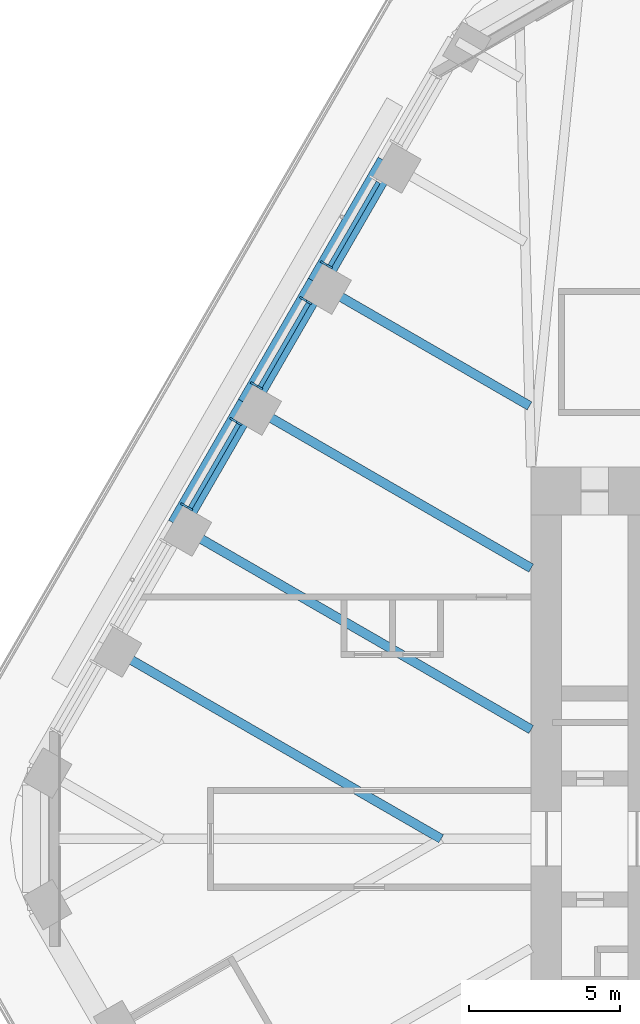
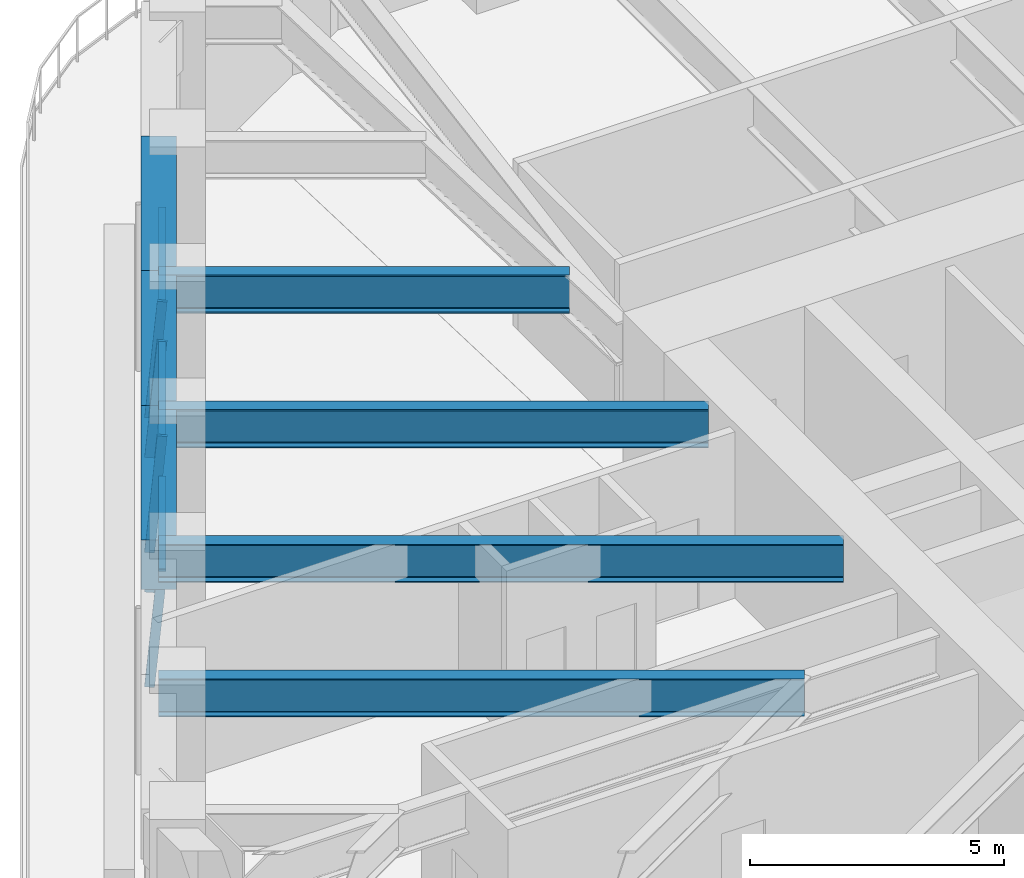
# One storey, part 7 of 20: 8 members, 7 beams, 3 elements without a shape of their own.
"""IFC4 building model written with IfcOpenShell, lengths in metres."""

from ifc_helpers import new_model, si_unit, direction, frame, origin, origin_2d, place, context, subcontext, project, spatial, rectangle, i_section, extrude, material, material_profile, profile_set, type_object, element, aggregate, save


model = new_model("IFC4")

# Units and contexts
model_context = context("Model", 3, precision=1e-05, world=origin(), true_north=direction((0.0, 1.0)))
body_context = subcontext(model_context, "Body", "Model", "MODEL_VIEW")
ifc_project = project(units=[si_unit("LENGTHUNIT", "METRE"), si_unit("AREAUNIT", "SQUARE_METRE"), si_unit("VOLUMEUNIT", "CUBIC_METRE"), si_unit("PLANEANGLEUNIT", "RADIAN"), si_unit("MASSUNIT", "GRAM", prefix="KILO")], contexts=[model_context])

# Site, building, storey
site_placement = place(None, origin())
site = spatial("IfcSite", under=ifc_project, at=site_placement, CompositionType="ELEMENT")
building_placement = place(site_placement, origin())
building = spatial("IfcBuilding", under=site, at=building_placement, Name="Tarfa Lantern Tower", CompositionType="ELEMENT")
storey_placement = place(building_placement, frame((0.0, 0.0, 249.10009765625)))
storey = spatial("IfcBuildingStorey", under=building, at=storey_placement, Name="L56", CompositionType="ELEMENT", Elevation=249.10009765625)

# Curtain wall, member
ifc_material_1 = material(Name="Aluminium framed curtain wall", Category="aluminium")
curtain_wall_type = type_object("IfcCurtainWallType", Name="CW3 CANTED GLAZING HIGH ZONE 2800", PredefinedType="USERDEFINED", material=ifc_material_1)
curtain_wall_1_placement = place(storey_placement, origin())
curtain_wall_1 = element("IfcCurtainWall", 1, at=curtain_wall_1_placement, inside=storey, type_object=curtain_wall_type, Name="CW3 NW L56", ObjectType="CURTAIN WALL", PredefinedType="USERDEFINED")
ifc_material_2 = material(Name="Aluminium mullion", Category="aluminium")
ifc_material_profile_1 = material_profile(ifc_material_2, rectangle(XDim=0.06494140625, YDim=0.199951171875, at=origin_2d()), Name="AL MULLION 65x200")
ifc_profile_set_1 = profile_set([ifc_material_profile_1], Name="Aluminium mullion")
member_type_1 = type_object("IfcMemberType", Name="CWM1 MULLION 65x200", PredefinedType="MULLION", material=ifc_profile_set_1)
member_1_placement = place(storey_placement, frame((-22.37744140625, 19.041015625, 0.0), z_axis=(0.077039050765, -0.044468989844, 0.996035889715), x_axis=(0.499919672301, 0.866071776036, 0.0)))
member_1 = element("IfcMember", 2, at=member_1_placement, type_object=member_type_1, Name="CW3 mullion 2", PredefinedType="MULLION", context=body_context, shape_type="SweptSolid", body=[
    extrude(rectangle(XDim=0.06494140625, YDim=0.199951171875, at=origin_2d()), origin(), (0.0, 0.0, 1.0), 2.81103515625),
])

# Curtain wall, members
curtain_wall_2_placement = place(storey_placement, origin())
curtain_wall_2 = element("IfcCurtainWall", 3, at=curtain_wall_2_placement, inside=storey, type_object=curtain_wall_type, Name="CW3 NW L56", ObjectType="CURTAIN WALL", PredefinedType="USERDEFINED")
member_2_placement = place(storey_placement, frame((-23.06005859375, 17.85888671875, 0.0), z_axis=(0.077039050765, -0.044468989844, 0.996035889715), x_axis=(0.499919672301, 0.866071776036, 0.0)))
member_2 = element("IfcMember", 4, at=member_2_placement, type_object=member_type_1, Name="CW3 mullion 1", PredefinedType="MULLION", context=body_context, shape_type="SweptSolid", body=[
    extrude(rectangle(XDim=0.06494140625, YDim=0.199951171875, at=origin_2d()), origin(), (0.0, 0.0, 1.0), 2.81103515625),
])
member_3_placement = place(storey_placement, frame((-24.686767578125, 15.041015625, 0.0), z_axis=(0.07695271188, -0.044469287226, 0.996042550611), x_axis=(0.500342721131, 0.865827443207, 0.0)))
member_3 = element("IfcMember", 5, at=member_3_placement, type_object=member_type_1, Name="CW3 mullion 2", PredefinedType="MULLION", context=body_context, shape_type="SweptSolid", body=[
    extrude(rectangle(XDim=0.06494140625, YDim=0.199951171875, at=origin_2d()), origin(), (0.0, 0.0, 1.0), 2.81103515625),
])

curtain_wall_3_placement = place(storey_placement, origin())
curtain_wall_3 = element("IfcCurtainWall", 6, at=curtain_wall_3_placement, inside=storey, type_object=curtain_wall_type, Name="CW3 NW L56", ObjectType="CURTAIN WALL", PredefinedType="USERDEFINED")
member_4_placement = place(storey_placement, frame((-25.369384765625, 13.85888671875, 0.0), z_axis=(0.077039050765, -0.044468989844, 0.996035889715), x_axis=(0.499919672301, 0.866071776036, 0.0)))
member_4 = element("IfcMember", 7, at=member_4_placement, type_object=member_type_1, Name="CW3 mullion 1", PredefinedType="MULLION", context=body_context, shape_type="SweptSolid", body=[
    extrude(rectangle(XDim=0.06494140625, YDim=0.199951171875, at=origin_2d()), origin(), (0.0, 0.0, 1.0), 2.81103515625),
])
member_5_placement = place(storey_placement, frame((-26.996337890625, 11.041015625, 0.0), z_axis=(0.077039050765, -0.044468989844, 0.996035889715), x_axis=(0.499919672301, 0.866071776036, 0.0)))
member_5 = element("IfcMember", 8, at=member_5_placement, type_object=member_type_1, Name="CW3 mullion 2", PredefinedType="MULLION", context=body_context, shape_type="SweptSolid", body=[
    extrude(rectangle(XDim=0.06494140625, YDim=0.199951171875, at=origin_2d()), origin(), (0.0, 0.0, 1.0), 2.81103515625),
])

# Member
ifc_material_3 = material(Name="Aluminium transom", Category="aluminium")
ifc_material_profile_2 = material_profile(ifc_material_3, rectangle(XDim=0.14990234375, YDim=0.06494140625, at=origin_2d()), Name="AL TRANSOM 150x65")
ifc_profile_set_2 = profile_set([ifc_material_profile_2], Name="Aluminium transom")
member_type_2 = type_object("IfcMemberType", Name="CWT1 TRANSOM 150x65", PredefinedType="USERDEFINED", material=ifc_profile_set_2)
member_6_placement = place(storey_placement, frame((-20.552734375, 21.707275390625, 2.767333984375), z_axis=(-0.500000789788, -0.8660249478, 0.0), x_axis=(0.8660249478, -0.500000789788, 0.0)))
member_6 = element("IfcMember", 9, at=member_6_placement, type_object=member_type_2, Name="CW3 transom 1.2", ObjectType="TRANSOM", PredefinedType="USERDEFINED", context=body_context, shape_type="SweptSolid", body=[
    extrude(rectangle(XDim=0.14990234375, YDim=0.06494140625, at=origin_2d()), origin(), (0.0, 0.0, 1.0), 3.18896484375),
])

aggregate(curtain_wall_1, [member_1, member_6])

member_7_placement = place(storey_placement, frame((-22.8623046875, 17.707275390625, 2.767333984375), z_axis=(-0.499943367995, -0.866058097819, 0.0), x_axis=(0.866058097819, -0.499943367995, 0.0)))
member_7 = element("IfcMember", 10, at=member_7_placement, type_object=member_type_2, Name="CW3 transom 1.2", ObjectType="TRANSOM", PredefinedType="USERDEFINED", context=body_context, shape_type="SweptSolid", body=[
    extrude(rectangle(XDim=0.14990234375, YDim=0.06494140625, at=origin_2d()), origin(), (0.0, 0.0, 1.0), 3.188720703125),
])

aggregate(curtain_wall_2, [member_2, member_3, member_7])

member_8_placement = place(storey_placement, frame((-25.171630859375, 13.707275390625, 2.767333984375), z_axis=(-0.500000789788, -0.8660249478, 0.0), x_axis=(0.8660249478, -0.500000789788, 0.0)))
member_8 = element("IfcMember", 11, at=member_8_placement, type_object=member_type_2, Name="CW3 transom 1.2", ObjectType="TRANSOM", PredefinedType="USERDEFINED", context=body_context, shape_type="SweptSolid", body=[
    extrude(rectangle(XDim=0.14990234375, YDim=0.06494140625, at=origin_2d()), origin(), (0.0, 0.0, 1.0), 3.18896484375),
])

aggregate(curtain_wall_3, [member_4, member_5, member_8])

# Beams
ifc_material_4 = material(Name="Concrete C80/95", Category="concrete")
ifc_material_profile_3 = material_profile(ifc_material_4, rectangle(XDim=0.699951171875, YDim=1.199951171875, at=origin_2d()), Name="RC 700x1200")
ifc_profile_set_3 = profile_set([ifc_material_profile_3], Name="Concrete C80/95")
beam_type_1 = type_object("IfcBeamType", Name="EB3 RC 700x1200", PredefinedType="SPANDREL", material=ifc_profile_set_3)
beam_1_placement = place(storey_placement, frame((-20.25341796875, 22.360107421875, 3.39990234375), z_axis=(-0.499987836815, -0.866032426089, 0.0), x_axis=(0.866032426089, -0.499987836815, 0.0)))
element("IfcBeam", 12, at=beam_1_placement, inside=storey, type_object=beam_type_1, Name="Edge beam NW1", PredefinedType="SPANDREL", context=body_context, shape_type="SweptSolid", body=[
    extrude(rectangle(XDim=0.699951171875, YDim=1.199951171875, at=origin_2d()), origin(), (0.0, 0.0, 1.0), 4.61865234375),
])
beam_2_placement = place(storey_placement, frame((-22.562744140625, 18.360107421875, 3.39990234375), z_axis=(-0.500027479704, -0.866009537788, 0.0), x_axis=(0.866009537788, -0.500027479704, 0.0)))
element("IfcBeam", 13, at=beam_2_placement, inside=storey, type_object=beam_type_1, Name="Edge beam NW2", PredefinedType="SPANDREL", context=body_context, shape_type="SweptSolid", body=[
    extrude(rectangle(XDim=0.699951171875, YDim=1.199951171875, at=origin_2d()), origin(), (0.0, 0.0, 1.0), 4.618896484375),
])
beam_3_placement = place(storey_placement, frame((-24.872314453125, 14.360107421875, 3.39990234375), z_axis=(-0.499987836815, -0.866032426089, 0.0), x_axis=(0.866032426089, -0.499987836815, 0.0)))
element("IfcBeam", 14, at=beam_3_placement, inside=storey, type_object=beam_type_1, Name="Edge beam NW3", PredefinedType="SPANDREL", context=body_context, shape_type="SweptSolid", body=[
    extrude(rectangle(XDim=0.699951171875, YDim=1.199951171875, at=origin_2d()), origin(), (0.0, 0.0, 1.0), 4.61865234375),
])
ifc_material_5 = material(Name="Steel S460M", Category="steel")
ifc_material_profile_4 = material_profile(ifc_material_5, i_section(OverallWidth=0.305419921875, OverallDepth=0.91845703125, WebThickness=0.017333984375, FlangeThickness=0.02783203125, FilletRadius=0.01904296875, at=origin_2d()), Name="UB914x305x253")
ifc_profile_set_4 = profile_set([ifc_material_profile_4], Name="Steel S460M")
beam_type_2 = type_object("IfcBeamType", Name="UB914x305x253", PredefinedType="BEAM", material=ifc_profile_set_4)
beam_4_placement = place(storey_placement, frame((-22.562744140625, 18.360107421875, 3.540771484375), z_axis=(0.866010787764, -0.500025314835, 0.0), x_axis=(0.500025314835, 0.866010787764, 0.0)))
element("IfcBeam", 15, at=beam_4_placement, inside=storey, type_object=beam_type_2, Name="Floor beam NW2", PredefinedType="BEAM", context=body_context, shape_type="SweptSolid", body=[
    extrude(i_section(OverallWidth=0.305419921875, OverallDepth=0.91845703125, WebThickness=0.017333984375, FlangeThickness=0.02783203125, FilletRadius=0.01904296875, at=origin_2d()), origin(), (0.0, 0.0, 1.0), 8.09423828125),
])
beam_5_placement = place(storey_placement, frame((-24.872314453125, 14.360107421875, 3.540771484375), z_axis=(0.8660244219, -0.500001700669, 0.0), x_axis=(0.500001700669, 0.8660244219, 0.0)))
element("IfcBeam", 16, at=beam_5_placement, inside=storey, type_object=beam_type_2, Name="Floor beam NW3", PredefinedType="BEAM", context=body_context, shape_type="SweptSolid", body=[
    extrude(i_section(OverallWidth=0.305419921875, OverallDepth=0.91845703125, WebThickness=0.017333984375, FlangeThickness=0.02783203125, FilletRadius=0.01904296875, at=origin_2d()), origin(), (0.0, 0.0, 1.0), 10.822265625),
])
beam_6_placement = place(storey_placement, frame((-27.181640625, 10.360107421875, 3.540771484375), z_axis=(0.866018002818, -0.500012818631, 0.0), x_axis=(0.500012818631, 0.866018002818, 0.0)))
element("IfcBeam", 17, at=beam_6_placement, inside=storey, type_object=beam_type_2, Name="Floor beam NW4", PredefinedType="BEAM", context=body_context, shape_type="SweptSolid", body=[
    extrude(i_section(OverallWidth=0.305419921875, OverallDepth=0.91845703125, WebThickness=0.017333984375, FlangeThickness=0.02783203125, FilletRadius=0.01904296875, at=origin_2d()), origin(), (0.0, 0.0, 1.0), 13.489013671875),
])
beam_7_placement = place(storey_placement, frame((-29.490966796875, 6.360107421875, 3.540771484375), z_axis=(0.866022258038, -0.500005448553, 0.0), x_axis=(0.500005448553, 0.866022258038, 0.0)))
element("IfcBeam", 18, at=beam_7_placement, inside=storey, type_object=beam_type_2, Name="Floor beam NW5", PredefinedType="BEAM", context=body_context, shape_type="SweptSolid", body=[
    extrude(i_section(OverallWidth=0.305419921875, OverallDepth=0.91845703125, WebThickness=0.017333984375, FlangeThickness=0.02783203125, FilletRadius=0.01904296875, at=origin_2d()), origin(), (0.0, 0.0, 1.0), 12.719970703125),
])

save(model, "model.ifc")
